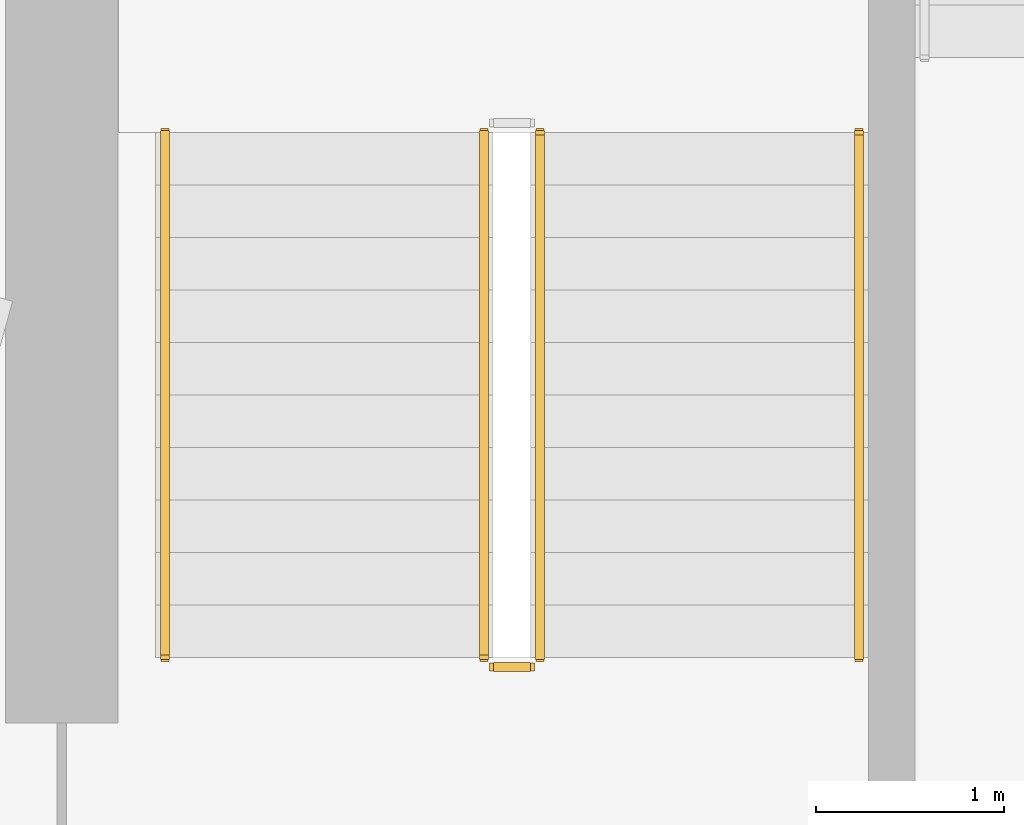
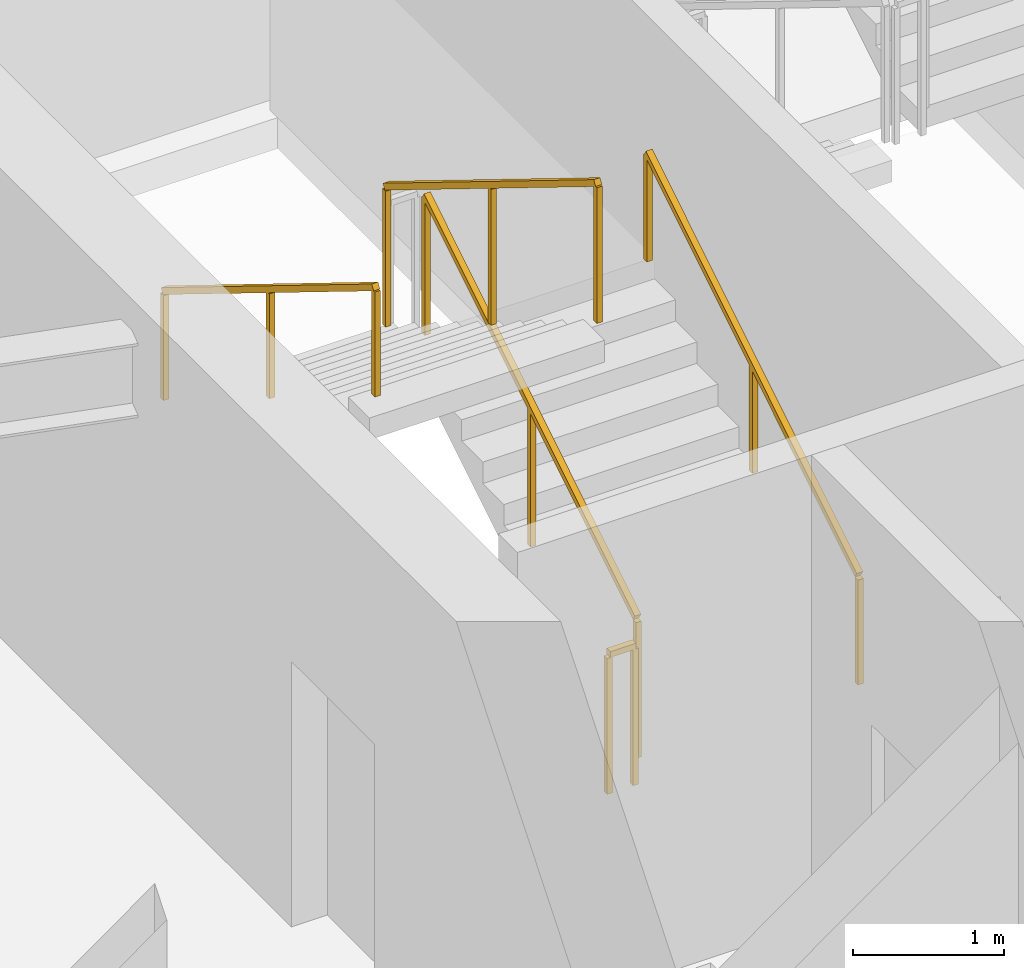
# One storey, part 26 of 29: 5 railings.
"""IFC4 building model written with IfcOpenShell, lengths in metres."""

import ifcopenshell
import ifcopenshell.guid

model = None  # the IFC model being written
_history = None  # IfcOwnerHistory: only IFC2X3 demands one
_inside = {}  # id of a spatial element -> (the spatial element, [elements in it])
_under = {}  # id of a project, library or spatial element -> (it, [spatial elements below it])
_declared = {}  # id of a project -> (the project, [libraries it declares])
_typed = {}  # id of a type object -> (the type object, [elements of that type])
_made_of = {}  # id of a material, layer set ... -> (it, [elements and type objects made of it])


def new_model(schema):
    """Start an empty IFC model of exactly this schema.

    Asked for "IFC4X3", IfcOpenShell would pick the latest addendum, in which some entities
    have other attributes; the version numbers below select the first issue.
    IFC2X3 requires an IfcOwnerHistory on every rooted entity: one is made here for all.
    """
    global model, _history
    if schema == "IFC4X3":
        model = ifcopenshell.file(schema_version=(4, 3, 0, 0))
    else:
        model = ifcopenshell.file(schema=schema)
    _inside.clear()
    _under.clear()
    _declared.clear()
    _typed.clear()
    _made_of.clear()
    _history = None
    if model.schema == "IFC2X3":
        org = make("IfcOrganization", Name="unknown")
        user = make(
            "IfcPersonAndOrganization",
            ThePerson=make("IfcPerson", FamilyName="unknown"),
            TheOrganization=org,
        )
        app = make(
            "IfcApplication",
            ApplicationDeveloper=org,
            Version="unknown",
            ApplicationFullName="unknown",
            ApplicationIdentifier="unknown",
        )
        _history = make(
            "IfcOwnerHistory",
            OwningUser=user,
            OwningApplication=app,
            ChangeAction="ADDED",
            CreationDate=0,
        )
    return model


def make(cls, **values):
    """One entity of the class cls with the attributes given. An attribute that is None is left unset."""
    return model.create_entity(
        cls, **{name: value for name, value in values.items() if value is not None}
    )


def rooted(cls, **values):
    """An entity with a GlobalId (a new one), such as an element, a storey or a relation."""
    return make(cls, GlobalId=ifcopenshell.guid.new(), OwnerHistory=_history, **values)


def si_unit(unit_type, name, prefix=None):
    """IfcSIUnit, for example si_unit("LENGTHUNIT", "METRE", prefix="MILLI")."""
    return make("IfcSIUnit", UnitType=unit_type, Prefix=prefix, Name=name)


def assignment(units):
    """IfcUnitAssignment: the units of a project."""
    return None if units is None else make("IfcUnitAssignment", Units=units)


def point(xyz):
    """IfcCartesianPoint."""
    return None if xyz is None else make("IfcCartesianPoint", Coordinates=xyz)


def direction(xyz):
    """IfcDirection."""
    return None if xyz is None else make("IfcDirection", DirectionRatios=xyz)


def frame(location, z_axis=None, x_axis=None):
    """IfcAxis2Placement3D, a coordinate frame: its origin and axes. An axis left out is left unset."""
    return make(
        "IfcAxis2Placement3D",
        Location=point(location),
        Axis=direction(z_axis),
        RefDirection=direction(x_axis),
    )


def frame_2d(location, x_axis=None):
    """IfcAxis2Placement2D, a coordinate frame in the plane: its origin and x axis."""
    return make(
        "IfcAxis2Placement2D", Location=point(location), RefDirection=direction(x_axis)
    )


def origin():
    """The frame at (0, 0, 0) with its axes left unset."""
    return frame((0.0, 0.0, 0.0))


def origin_2d():
    """The frame at (0, 0) in the plane with its x axis left unset."""
    return frame_2d((0.0, 0.0))


def place(relative_to, where):
    """IfcLocalPlacement: puts the frame where relative to a parent placement (None: the world)."""
    return make(
        "IfcLocalPlacement", PlacementRelTo=relative_to, RelativePlacement=where
    )


def context(
    kind, dimensions, precision=None, world=None, true_north=None, identifier=None
):
    """IfcGeometricRepresentationContext, for example the 3D "Model" context."""
    return make(
        "IfcGeometricRepresentationContext",
        ContextIdentifier=identifier,
        ContextType=kind,
        CoordinateSpaceDimension=dimensions,
        Precision=precision,
        WorldCoordinateSystem=world,
        TrueNorth=true_north,
    )


def subcontext(parent, identifier, kind, view, scale=None):
    """IfcGeometricRepresentationSubContext, for example "Body" below "Model"."""
    return make(
        "IfcGeometricRepresentationSubContext",
        ContextIdentifier=identifier,
        ContextType=kind,
        ParentContext=parent,
        TargetScale=scale,
        TargetView=view,
    )


def project(units=None, contexts=None):
    """IfcProject with its units and contexts."""
    return rooted(
        "IfcProject",
        Name="project",
        RepresentationContexts=contexts,
        UnitsInContext=assignment(units),
    )


def spatial(cls, under=None, at=None, **own):
    """A site, building, storey or space (cls), placed at a placement, below another one or the project."""
    s = rooted(cls, ObjectPlacement=at, **own)
    if under is not None:
        _under.setdefault(under.id(), (under, []))[1].append(s)
    return s


def profile(cls, at=None, kind="AREA", **sizes):
    """A parametric profile (cls). Its sizes go by their IFC names, for example OverallWidth=200.0."""
    return make(cls, ProfileType=kind, Position=at, **sizes)


def rectangle(**sizes):
    """IfcRectangleProfileDef."""
    return profile("IfcRectangleProfileDef", **sizes)


def extrude(swept, where, along, depth):
    """IfcExtrudedAreaSolid: the profile swept, set in the frame where, extruded along a direction by depth."""
    return make(
        "IfcExtrudedAreaSolid",
        SweptArea=swept,
        Position=where,
        ExtrudedDirection=direction(along),
        Depth=depth,
    )


def shape(context_of_items, identifier, shape_type, items):
    """IfcShapeRepresentation: the items that make up one representation, for example the "Body"."""
    return make(
        "IfcShapeRepresentation",
        ContextOfItems=context_of_items,
        RepresentationIdentifier=identifier,
        RepresentationType=shape_type,
        Items=items,
    )


def material(Name=None, Category=None):
    """IfcMaterial."""
    return make("IfcMaterial", Name=Name, Category=Category)


def made_of(thing, what):
    """Note that an element or type object is made of a material, layer set ...; save() writes the relation."""
    if what is not None:
        _made_of.setdefault(what.id(), (what, []))[1].append(thing)
    return thing


def type_object(cls, material=None, **own):
    """A type object (cls), such as IfcWallType, which elements share."""
    return made_of(rooted(cls, **own), material)


def element(
    cls,
    number,
    at=None,
    inside=None,
    cuts=None,
    type_object=None,
    material=None,
    context=None,
    identifier="Body",
    shape_type=None,
    held_by="IfcProductDefinitionShape",
    body=None,
    shapes=None,
    **own,
):
    """One element of the class cls, such as IfcWall. Its Tag is "e" and its number.

    at: its placement. inside: the storey or other place that contains it. cuts: it is an
    opening in that element (IfcRelVoidsElement). A single representation is given by context,
    identifier, shape_type and body (its items); several are given by shapes. held_by: the class
    of the entity that holds the representations. save() writes the other relations.
    """
    e = rooted(cls, Tag="e%d" % number, ObjectPlacement=at, **own)
    if body is not None:
        shapes = [shape(context, identifier, shape_type, body)]
    if shapes is not None:
        e.Representation = make(held_by, Representations=shapes)
    if inside is not None:
        _inside.setdefault(inside.id(), (inside, []))[1].append(e)
    if cuts is not None:
        rooted(
            "IfcRelVoidsElement", RelatingBuildingElement=cuts, RelatedOpeningElement=e
        )
    if type_object is not None:
        _typed.setdefault(type_object.id(), (type_object, []))[1].append(e)
    return made_of(e, material)


def aggregate(whole, parts):
    """IfcRelAggregates: a whole, such as a stair, and the parts it consists of."""
    return rooted("IfcRelAggregates", RelatingObject=whole, RelatedObjects=parts)


def save(model, path):
    """Write the relations noted so far, then the file.

    IfcRelAggregates (storeys below a building ...), IfcRelContainedInSpatialStructure (elements
    in a storey), IfcRelDefinesByType, IfcRelAssociatesMaterial and IfcRelDeclares: one each for
    every whole, place, type object, material and project.
    """
    for whole, parts in _under.values():
        aggregate(whole, parts)
    for where, things in _inside.values():
        rooted(
            "IfcRelContainedInSpatialStructure",
            RelatedElements=things,
            RelatingStructure=where,
        )
    for kind, things in _typed.values():
        rooted("IfcRelDefinesByType", RelatedObjects=things, RelatingType=kind)
    for what, things in _made_of.values():
        rooted("IfcRelAssociatesMaterial", RelatedObjects=things, RelatingMaterial=what)
    for by, libraries in _declared.values():
        rooted("IfcRelDeclares", RelatingContext=by, RelatedDefinitions=libraries)
    model.write(path)


model = new_model("IFC4")

# Units and contexts
model_context = context("Model", 3, precision=1e-05, world=origin(), true_north=direction((0.0, 1.0)))
body_context = subcontext(model_context, "Body", "Model", "MODEL_VIEW")
ifc_project = project(units=[si_unit("LENGTHUNIT", "METRE"), si_unit("AREAUNIT", "SQUARE_METRE"), si_unit("VOLUMEUNIT", "CUBIC_METRE"), si_unit("PLANEANGLEUNIT", "RADIAN"), si_unit("MASSUNIT", "GRAM", prefix="KILO")], contexts=[model_context])

# Site, building, storey
site_placement = place(None, origin())
site = spatial("IfcSite", under=ifc_project, at=site_placement, CompositionType="ELEMENT")
building_placement = place(site_placement, origin())
building = spatial("IfcBuilding", under=site, at=building_placement, Name="Zuhravey Tower", CompositionType="ELEMENT")
storey_placement = place(building_placement, frame((0.0, 0.0, 292.0)))
storey = spatial("IfcBuildingStorey", under=building, at=storey_placement, Name="L74", CompositionType="ELEMENT", Elevation=292.0)

# Railings
ifc_material_1 = material(Name="Brushed stainless steel", Category="steel")
railing_type_1 = type_object("IfcRailingType", Name="Stair Wall Handrail 900", PredefinedType="HANDRAIL", material=ifc_material_1)
railing_1_placement = place(storey_placement, frame((29.75, 33.199951171875, 0.172607421875)))
element("IfcRailing", 1, at=railing_1_placement, inside=storey, type_object=railing_type_1, Name="L74 ST1 stair handrail 1", PredefinedType="HANDRAIL", context=body_context, shape_type="SweptSolid", body=[
    extrude(rectangle(XDim=0.048095703125, YDim=0.048095703125, at=origin_2d()), frame((0.0, 0.001708984375, 0.876953125), z_axis=(0.0, 0.851089632645, 0.525020415988), x_axis=(-1.0, 0.0, 0.0)), (0.0, 0.0, 1.0), 3.285888671875),
    extrude(rectangle(XDim=0.0419921875, YDim=0.0419921875, at=origin_2d()), origin(), (0.0, 0.0, 1.0), 0.849853515625),
    extrude(rectangle(XDim=0.0419921875, YDim=0.0419921875, at=origin_2d()), frame((0.0, 1.39990234375, 0.86376953125)), (0.0, 0.0, 1.0), 0.849853515625),
    extrude(rectangle(XDim=0.0419921875, YDim=0.0419921875, at=origin_2d()), frame((0.0, 2.800048828125, 1.727294921875)), (0.0, 0.0, 1.0), 0.849853515625),
])
railing_2_placement = place(storey_placement, frame((26.050048828125, 36.0, 2.07275390625)))
element("IfcRailing", 2, at=railing_2_placement, inside=storey, type_object=railing_type_1, Name="L74 ST1 stair handrail 2", PredefinedType="HANDRAIL", context=body_context, shape_type="SweptSolid", body=[
    extrude(rectangle(XDim=0.048095703125, YDim=0.048095703125, at=origin_2d()), frame((0.0, -0.001708984375, 0.876953125), z_axis=(0.0, -0.851089632645, 0.525020415988), x_axis=(1.0, 0.0, 0.0)), (0.0, 0.0, 1.0), 3.285888671875),
    extrude(rectangle(XDim=0.0419921875, YDim=0.0419921875, at=origin_2d()), origin(), (0.0, 0.0, 1.0), 0.849853515625),
    extrude(rectangle(XDim=0.0419921875, YDim=0.0419921875, at=origin_2d()), frame((0.0, -1.39990234375, 0.86376953125)), (0.0, 0.0, 1.0), 0.849853515625),
    extrude(rectangle(XDim=0.0419921875, YDim=0.0419921875, at=origin_2d()), frame((0.0, -2.800048828125, 1.727294921875)), (0.0, 0.0, 1.0), 0.849853515625),
])
ifc_material_2 = material(Name="Painted tubular steel", Category="steel")
railing_type_2 = type_object("IfcRailingType", Name="Stair Well Guardrail 1150", PredefinedType="GUARDRAIL", material=ifc_material_2)
railing_3_placement = place(storey_placement, frame((28.050048828125, 33.199951171875, 0.172607421875)))
element("IfcRailing", 3, at=railing_3_placement, inside=storey, type_object=railing_type_2, Name="L74 ST1 stair guard 1", PredefinedType="GUARDRAIL", context=body_context, shape_type="SweptSolid", body=[
    extrude(rectangle(XDim=0.048095703125, YDim=0.048095703125, at=origin_2d()), frame((0.0, 0.001708984375, 1.126953125), z_axis=(0.0, 0.851089632645, 0.525020415988), x_axis=(-1.0, 0.0, 0.0)), (0.0, 0.0, 1.0), 3.285888671875),
    extrude(rectangle(XDim=0.0419921875, YDim=0.0419921875, at=origin_2d()), origin(), (0.0, 0.0, 1.0), 1.099853515625),
    extrude(rectangle(XDim=0.0419921875, YDim=0.0419921875, at=origin_2d()), frame((0.0, 1.39990234375, 0.86376953125)), (0.0, 0.0, 1.0), 1.099853515625),
    extrude(rectangle(XDim=0.0419921875, YDim=0.0419921875, at=origin_2d()), frame((0.0, 2.800048828125, 1.727294921875)), (0.0, 0.0, 1.0), 1.099853515625),
])
railing_4_placement = place(storey_placement, frame((27.75, 36.0, 2.07275390625)))
element("IfcRailing", 4, at=railing_4_placement, inside=storey, type_object=railing_type_2, Name="L74 ST1 stair guard 3", PredefinedType="GUARDRAIL", context=body_context, shape_type="SweptSolid", body=[
    extrude(rectangle(XDim=0.048095703125, YDim=0.048095703125, at=origin_2d()), frame((0.0, -0.001708984375, 1.126953125), z_axis=(0.0, -0.851089632645, 0.525020415988), x_axis=(1.0, 0.0, 0.0)), (0.0, 0.0, 1.0), 3.285888671875),
    extrude(rectangle(XDim=0.0419921875, YDim=0.0419921875, at=origin_2d()), origin(), (0.0, 0.0, 1.0), 1.099853515625),
    extrude(rectangle(XDim=0.0419921875, YDim=0.0419921875, at=origin_2d()), frame((0.0, -1.39990234375, 0.86376953125)), (0.0, 0.0, 1.0), 1.099853515625),
    extrude(rectangle(XDim=0.0419921875, YDim=0.0419921875, at=origin_2d()), frame((0.0, -2.800048828125, 1.727294921875)), (0.0, 0.0, 1.0), 1.099853515625),
])
railing_5_placement = place(storey_placement, frame((28.0, 33.14990234375, 0.0)))
element("IfcRailing", 5, at=railing_5_placement, inside=storey, type_object=railing_type_2, Name="L74 ST1 stair guard 4", PredefinedType="GUARDRAIL", context=body_context, shape_type="SweptSolid", body=[
    extrude(rectangle(XDim=0.048095703125, YDim=0.048095703125, at=origin_2d()), frame((-0.001953125, 0.0, 1.1259765625), z_axis=(-1.0, 0.0, 0.0), x_axis=(0.0, -1.0, 0.0)), (0.0, 0.0, 1.0), 0.196044921875),
    extrude(rectangle(XDim=0.0419921875, YDim=0.0419921875, at=origin_2d()), origin(), (0.0, 0.0, 1.0), 1.099853515625),
    extrude(rectangle(XDim=0.0419921875, YDim=0.0419921875, at=origin_2d()), frame((-0.199951171875, 0.0, 0.0)), (0.0, 0.0, 1.0), 1.099853515625),
])

save(model, "model.ifc")
